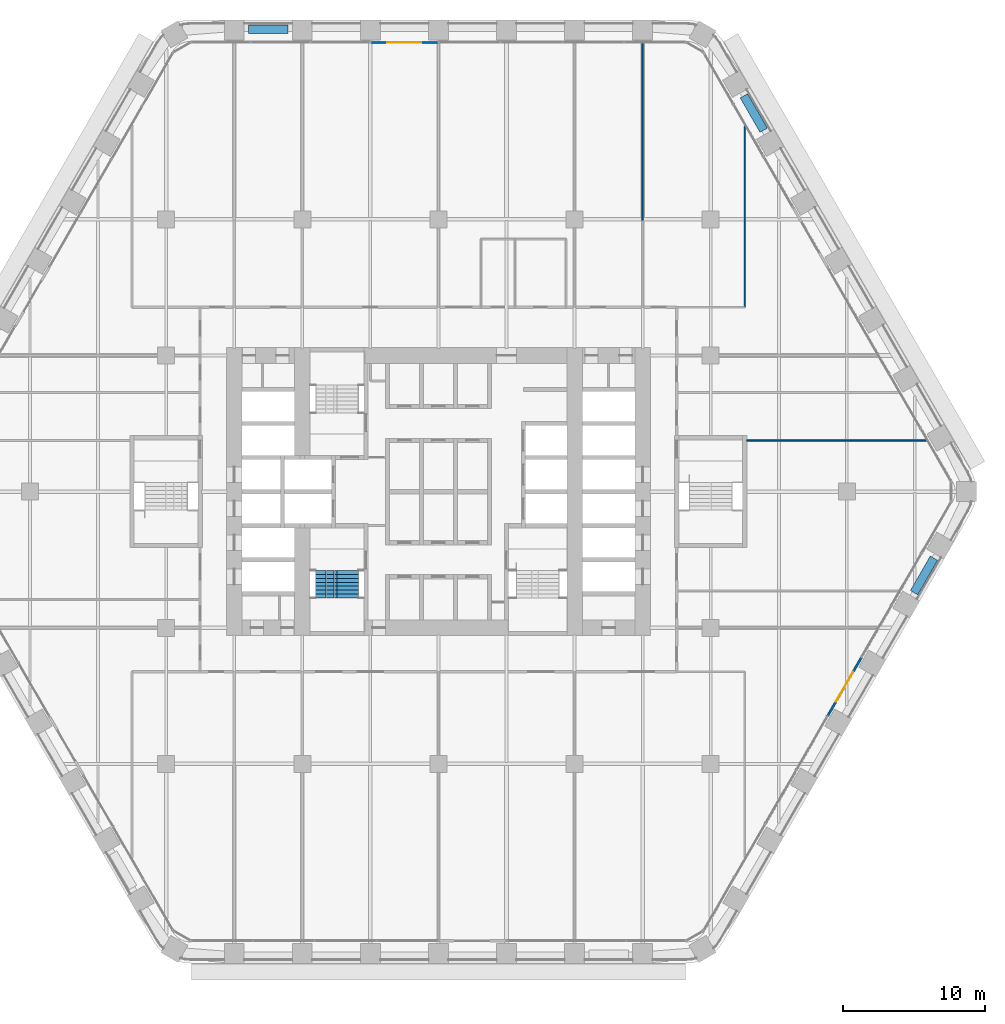
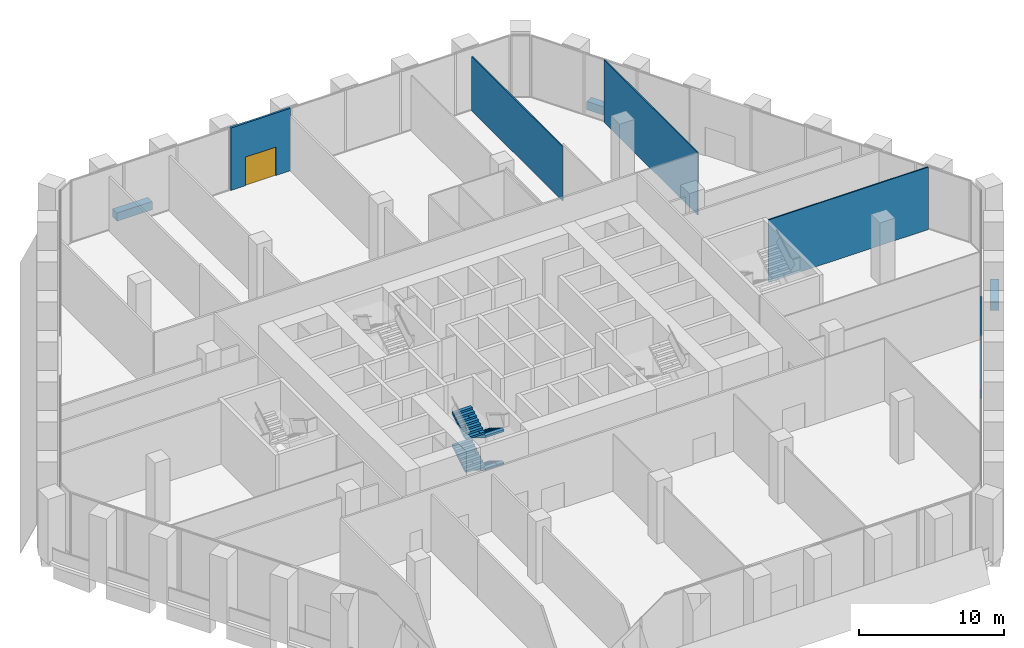
# One storey, part 22 of 27: 8 walls, 4 stair flights, 2 doors, 2 openings, 1 element without a shape of its own.
"""IFC4 building model written with IfcOpenShell, lengths in metres."""

import ifcopenshell
import ifcopenshell.guid

model = None  # the IFC model being written
_history = None  # IfcOwnerHistory: only IFC2X3 demands one
_inside = {}  # id of a spatial element -> (the spatial element, [elements in it])
_under = {}  # id of a project, library or spatial element -> (it, [spatial elements below it])
_declared = {}  # id of a project -> (the project, [libraries it declares])
_typed = {}  # id of a type object -> (the type object, [elements of that type])
_made_of = {}  # id of a material, layer set ... -> (it, [elements and type objects made of it])


def new_model(schema):
    """Start an empty IFC model of exactly this schema.

    Asked for "IFC4X3", IfcOpenShell would pick the latest addendum, in which some entities
    have other attributes; the version numbers below select the first issue.
    IFC2X3 requires an IfcOwnerHistory on every rooted entity: one is made here for all.
    """
    global model, _history
    if schema == "IFC4X3":
        model = ifcopenshell.file(schema_version=(4, 3, 0, 0))
    else:
        model = ifcopenshell.file(schema=schema)
    _inside.clear()
    _under.clear()
    _declared.clear()
    _typed.clear()
    _made_of.clear()
    _history = None
    if model.schema == "IFC2X3":
        org = make("IfcOrganization", Name="unknown")
        user = make(
            "IfcPersonAndOrganization",
            ThePerson=make("IfcPerson", FamilyName="unknown"),
            TheOrganization=org,
        )
        app = make(
            "IfcApplication",
            ApplicationDeveloper=org,
            Version="unknown",
            ApplicationFullName="unknown",
            ApplicationIdentifier="unknown",
        )
        _history = make(
            "IfcOwnerHistory",
            OwningUser=user,
            OwningApplication=app,
            ChangeAction="ADDED",
            CreationDate=0,
        )
    return model


def make(cls, **values):
    """One entity of the class cls with the attributes given. An attribute that is None is left unset."""
    return model.create_entity(
        cls, **{name: value for name, value in values.items() if value is not None}
    )


def rooted(cls, **values):
    """An entity with a GlobalId (a new one), such as an element, a storey or a relation."""
    return make(cls, GlobalId=ifcopenshell.guid.new(), OwnerHistory=_history, **values)


def si_unit(unit_type, name, prefix=None):
    """IfcSIUnit, for example si_unit("LENGTHUNIT", "METRE", prefix="MILLI")."""
    return make("IfcSIUnit", UnitType=unit_type, Prefix=prefix, Name=name)


def assignment(units):
    """IfcUnitAssignment: the units of a project."""
    return None if units is None else make("IfcUnitAssignment", Units=units)


def point(xyz):
    """IfcCartesianPoint."""
    return None if xyz is None else make("IfcCartesianPoint", Coordinates=xyz)


def direction(xyz):
    """IfcDirection."""
    return None if xyz is None else make("IfcDirection", DirectionRatios=xyz)


def frame(location, z_axis=None, x_axis=None):
    """IfcAxis2Placement3D, a coordinate frame: its origin and axes. An axis left out is left unset."""
    return make(
        "IfcAxis2Placement3D",
        Location=point(location),
        Axis=direction(z_axis),
        RefDirection=direction(x_axis),
    )


def frame_2d(location, x_axis=None):
    """IfcAxis2Placement2D, a coordinate frame in the plane: its origin and x axis."""
    return make(
        "IfcAxis2Placement2D", Location=point(location), RefDirection=direction(x_axis)
    )


def origin():
    """The frame at (0, 0, 0) with its axes left unset."""
    return frame((0.0, 0.0, 0.0))


def place(relative_to, where):
    """IfcLocalPlacement: puts the frame where relative to a parent placement (None: the world)."""
    return make(
        "IfcLocalPlacement", PlacementRelTo=relative_to, RelativePlacement=where
    )


def context(
    kind, dimensions, precision=None, world=None, true_north=None, identifier=None
):
    """IfcGeometricRepresentationContext, for example the 3D "Model" context."""
    return make(
        "IfcGeometricRepresentationContext",
        ContextIdentifier=identifier,
        ContextType=kind,
        CoordinateSpaceDimension=dimensions,
        Precision=precision,
        WorldCoordinateSystem=world,
        TrueNorth=true_north,
    )


def subcontext(parent, identifier, kind, view, scale=None):
    """IfcGeometricRepresentationSubContext, for example "Body" below "Model"."""
    return make(
        "IfcGeometricRepresentationSubContext",
        ContextIdentifier=identifier,
        ContextType=kind,
        ParentContext=parent,
        TargetScale=scale,
        TargetView=view,
    )


def project(units=None, contexts=None):
    """IfcProject with its units and contexts."""
    return rooted(
        "IfcProject",
        Name="project",
        RepresentationContexts=contexts,
        UnitsInContext=assignment(units),
    )


def spatial(cls, under=None, at=None, **own):
    """A site, building, storey or space (cls), placed at a placement, below another one or the project."""
    s = rooted(cls, ObjectPlacement=at, **own)
    if under is not None:
        _under.setdefault(under.id(), (under, []))[1].append(s)
    return s


def polyline(points):
    """IfcPolyline through the points."""
    return make("IfcPolyline", Points=[point(p) for p in points])


def profile(cls, at=None, kind="AREA", **sizes):
    """A parametric profile (cls). Its sizes go by their IFC names, for example OverallWidth=200.0."""
    return make(cls, ProfileType=kind, Position=at, **sizes)


def rectangle(**sizes):
    """IfcRectangleProfileDef."""
    return profile("IfcRectangleProfileDef", **sizes)


def outline(outer, holes=None, kind="AREA"):
    """IfcArbitraryClosedProfileDef: a profile drawn as a closed curve; with holes, ...WithVoids."""
    if holes is None:
        return make("IfcArbitraryClosedProfileDef", ProfileType=kind, OuterCurve=outer)
    return make(
        "IfcArbitraryProfileDefWithVoids",
        ProfileType=kind,
        OuterCurve=outer,
        InnerCurves=holes,
    )


def extrude(swept, where, along, depth):
    """IfcExtrudedAreaSolid: the profile swept, set in the frame where, extruded along a direction by depth."""
    return make(
        "IfcExtrudedAreaSolid",
        SweptArea=swept,
        Position=where,
        ExtrudedDirection=direction(along),
        Depth=depth,
    )


def shape(context_of_items, identifier, shape_type, items):
    """IfcShapeRepresentation: the items that make up one representation, for example the "Body"."""
    return make(
        "IfcShapeRepresentation",
        ContextOfItems=context_of_items,
        RepresentationIdentifier=identifier,
        RepresentationType=shape_type,
        Items=items,
    )


def material(Name=None, Category=None):
    """IfcMaterial."""
    return make("IfcMaterial", Name=Name, Category=Category)


def layer(
    of_material, thickness, ventilated=None, Name=None, Category=None, Priority=None
):
    """IfcMaterialLayer: one layer of a wall or slab, of a material (None: an air gap)."""
    return make(
        "IfcMaterialLayer",
        Material=of_material,
        LayerThickness=thickness,
        IsVentilated=ventilated,
        Name=Name,
        Category=Category,
        Priority=Priority,
    )


def layer_set(layers, Name=None):
    """IfcMaterialLayerSet."""
    return make("IfcMaterialLayerSet", MaterialLayers=layers, LayerSetName=Name)


def made_of(thing, what):
    """Note that an element or type object is made of a material, layer set ...; save() writes the relation."""
    if what is not None:
        _made_of.setdefault(what.id(), (what, []))[1].append(thing)
    return thing


def type_object(cls, material=None, **own):
    """A type object (cls), such as IfcWallType, which elements share."""
    return made_of(rooted(cls, **own), material)


def element(
    cls,
    number,
    at=None,
    inside=None,
    cuts=None,
    type_object=None,
    material=None,
    context=None,
    identifier="Body",
    shape_type=None,
    held_by="IfcProductDefinitionShape",
    body=None,
    shapes=None,
    **own,
):
    """One element of the class cls, such as IfcWall. Its Tag is "e" and its number.

    at: its placement. inside: the storey or other place that contains it. cuts: it is an
    opening in that element (IfcRelVoidsElement). A single representation is given by context,
    identifier, shape_type and body (its items); several are given by shapes. held_by: the class
    of the entity that holds the representations. save() writes the other relations.
    """
    e = rooted(cls, Tag="e%d" % number, ObjectPlacement=at, **own)
    if body is not None:
        shapes = [shape(context, identifier, shape_type, body)]
    if shapes is not None:
        e.Representation = make(held_by, Representations=shapes)
    if inside is not None:
        _inside.setdefault(inside.id(), (inside, []))[1].append(e)
    if cuts is not None:
        rooted(
            "IfcRelVoidsElement", RelatingBuildingElement=cuts, RelatedOpeningElement=e
        )
    if type_object is not None:
        _typed.setdefault(type_object.id(), (type_object, []))[1].append(e)
    return made_of(e, material)


def fill(opening, filler):
    """IfcRelFillsElement: the door or window that sits in an opening."""
    return rooted(
        "IfcRelFillsElement",
        RelatingOpeningElement=opening,
        RelatedBuildingElement=filler,
    )


def aggregate(whole, parts):
    """IfcRelAggregates: a whole, such as a stair, and the parts it consists of."""
    return rooted("IfcRelAggregates", RelatingObject=whole, RelatedObjects=parts)


def save(model, path):
    """Write the relations noted so far, then the file.

    IfcRelAggregates (storeys below a building ...), IfcRelContainedInSpatialStructure (elements
    in a storey), IfcRelDefinesByType, IfcRelAssociatesMaterial and IfcRelDeclares: one each for
    every whole, place, type object, material and project.
    """
    for whole, parts in _under.values():
        aggregate(whole, parts)
    for where, things in _inside.values():
        rooted(
            "IfcRelContainedInSpatialStructure",
            RelatedElements=things,
            RelatingStructure=where,
        )
    for kind, things in _typed.values():
        rooted("IfcRelDefinesByType", RelatedObjects=things, RelatingType=kind)
    for what, things in _made_of.values():
        rooted("IfcRelAssociatesMaterial", RelatedObjects=things, RelatingMaterial=what)
    for by, libraries in _declared.values():
        rooted("IfcRelDeclares", RelatingContext=by, RelatedDefinitions=libraries)
    model.write(path)


model = new_model("IFC4")

# Units and contexts
model_context = context("Model", 3, precision=1e-05, world=origin(), true_north=direction((0.0, 1.0)))
body_context = subcontext(model_context, "Body", "Model", "MODEL_VIEW")
ifc_project = project(units=[si_unit("LENGTHUNIT", "METRE"), si_unit("AREAUNIT", "SQUARE_METRE"), si_unit("VOLUMEUNIT", "CUBIC_METRE"), si_unit("PLANEANGLEUNIT", "RADIAN"), si_unit("MASSUNIT", "GRAM", prefix="KILO")], contexts=[model_context])

# Site, building, storey
site_placement = place(None, origin())
site = spatial("IfcSite", under=ifc_project, at=site_placement, CompositionType="ELEMENT")
building_placement = place(site_placement, origin())
building = spatial("IfcBuilding", under=site, at=building_placement, Name="Kolab Exchange Tower", CompositionType="ELEMENT")
storey_placement = place(building_placement, frame((0.0, 0.0, 22.39990234375)))
storey = spatial("IfcBuildingStorey", under=building, at=storey_placement, Name="L04", CompositionType="ELEMENT", Elevation=22.39990234375)

# Wall, opening, door
ifc_material_1 = material(Name="Aluminium EN AW-6063 T6", Category="aluminium")
ifc_layer_1 = layer(ifc_material_1, 0.159912109375)
ifc_layer_set_1 = layer_set([ifc_layer_1], Name="Aluminium EN AW-6063 T6")
wall_type_1 = type_object("IfcWallType", Name="DOOR SURROUND WALL 160 ALUMINIUM FRAMED", PredefinedType="PARTITIONING", material=ifc_layer_set_1)
wall_1_placement = place(storey_placement, frame((-4.77001953125, 31.67529296875, 0.0), z_axis=(0.0, 0.0, 1.0), x_axis=(1.0, 0.0, 0.0)))
wall_1 = element("IfcWall", 1, at=wall_1_placement, inside=storey, type_object=wall_type_1, Name="Door surround wall", PredefinedType="PARTITIONING", context=body_context, shape_type="SweptSolid", body=[
    extrude(rectangle(XDim=4.739990234375, YDim=0.159912109375, at=frame_2d((2.3701171875, 0.0))), origin(), (0.0, 0.0, 1.0), 5.25),
])
opening_1_placement = place(wall_1_placement, frame((1.169921875, 0.0, 0.0)))
opening_1 = element("IfcOpeningElement", 2, at=opening_1_placement, cuts=wall_1, Name="Opening GD1-017", PredefinedType="OPENING", context=body_context, shape_type="SweptSolid", body=[
    extrude(rectangle(XDim=2.39990234375, YDim=2.39990234375, at=frame_2d((1.199951171875, 1.199951171875))), frame((0.0, 0.08984375, 0.0), z_axis=(0.0, -1.0, 0.0), x_axis=(1.0, 0.0, 0.0)), (0.0, 0.0, 1.0), 0.179931640625),
])
door_type = type_object("IfcDoorType", Name="LOGGIA SLIDING GLASS DOOR 2400 X 2400", OperationType="DOUBLE_DOOR_SINGLE_SWING", PredefinedType="DOOR", material=ifc_material_1)
door_1_placement = place(opening_1_placement, origin())
door_1 = element("IfcDoor", 3, at=door_1_placement, inside=storey, type_object=door_type, Name="Loggia door", OperationType="DOUBLE_DOOR_SLIDING", OverallHeight=2.39990234375, OverallWidth=2.39990234375, PredefinedType="DOOR", context=body_context, shape_type="SweptSolid", body=[
    extrude(rectangle(XDim=2.39990234375, YDim=2.39990234375, at=frame_2d((1.199951171875, 1.199951171875))), frame((0.0, 0.02490234375, 0.0), z_axis=(0.0, -1.0, 0.0), x_axis=(1.0, 0.0, 0.0)), (0.0, 0.0, 1.0), 0.050048828125),
])
fill(opening_1, door_1)

wall_2_placement = place(storey_placement, frame((29.816650390625, -11.706787109375, 0.0), z_axis=(0.0, 0.0, 1.0), x_axis=(-0.499978080042, -0.866038058908, 0.0)))
wall_2 = element("IfcWall", 4, at=wall_2_placement, inside=storey, type_object=wall_type_1, Name="Door surround wall", PredefinedType="PARTITIONING", context=body_context, shape_type="SweptSolid", body=[
    extrude(rectangle(XDim=4.739990234375, YDim=0.159912109375, at=frame_2d((2.3701171875, 0.0))), origin(), (0.0, 0.0, 1.0), 5.25),
])
opening_2_placement = place(wall_2_placement, frame((1.169921875, 0.0, 0.0)))
opening_2 = element("IfcOpeningElement", 5, at=opening_2_placement, cuts=wall_2, Name="Opening GD1-019", PredefinedType="OPENING", context=body_context, shape_type="SweptSolid", body=[
    extrude(rectangle(XDim=2.39990234375, YDim=2.39990234375, at=frame_2d((1.199951171875, 1.199951171875))), frame((0.0, 0.08984375, 0.0), z_axis=(0.0, -1.0, 0.0), x_axis=(1.0, 0.0, 0.0)), (0.0, 0.0, 1.0), 0.179931640625),
])
door_2_placement = place(opening_2_placement, origin())
door_2 = element("IfcDoor", 6, at=door_2_placement, inside=storey, type_object=door_type, Name="Loggia door", OperationType="DOUBLE_DOOR_SLIDING", OverallHeight=2.39990234375, OverallWidth=2.39990234375, PredefinedType="DOOR", context=body_context, shape_type="SweptSolid", body=[
    extrude(rectangle(XDim=2.39990234375, YDim=2.39990234375, at=frame_2d((1.199951171875, 1.199951171875))), frame((0.0, 0.02490234375, 0.0), z_axis=(0.0, -1.0, 0.0), x_axis=(1.0, 0.0, 0.0)), (0.0, 0.0, 1.0), 0.050048828125),
])
fill(opening_2, door_2)

# Walls
ifc_material_2 = material(Name="Gypsum board", Category="gypsum")
ifc_layer_2 = layer(ifc_material_2, 0.10009765625)
ifc_layer_set_2 = layer_set([ifc_layer_2], Name="Gypsum board")
wall_type_2 = type_object("IfcWallType", Name="PARTITION 100", PredefinedType="PARTITIONING", material=ifc_layer_set_2)
wall_3_placement = place(storey_placement, frame((21.60009765625, 13.0, 0.0), z_axis=(0.0, 0.0, 1.0), x_axis=(0.0, 1.0, 0.0)))
element("IfcWall", 7, at=wall_3_placement, inside=storey, type_object=wall_type_2, Name="Partition 001", PredefinedType="PARTITIONING", context=body_context, shape_type="SweptSolid", body=[
    extrude(rectangle(XDim=12.8583984375, YDim=0.10009765625, at=frame_2d((6.42919921875, 0.0))), origin(), (0.0, 0.0, 1.0), 5.25),
])
wall_4_placement = place(storey_placement, frame((14.39990234375, 19.113037109375, 0.0), z_axis=(0.0, 0.0, 1.0), x_axis=(0.0, 1.0, 0.0)))
element("IfcWall", 8, at=wall_4_placement, inside=storey, type_object=wall_type_2, Name="Partition 004", PredefinedType="PARTITIONING", context=body_context, shape_type="SweptSolid", body=[
    extrude(rectangle(XDim=12.472412109375, YDim=0.10009765625, at=frame_2d((6.236328125, 0.0))), origin(), (0.0, 0.0, 1.0), 4.566162109375),
])
wall_5_placement = place(storey_placement, frame((21.75, 3.60009765625, 0.0), z_axis=(0.0, 0.0, 1.0), x_axis=(1.0, 0.0, 0.0)))
element("IfcWall", 9, at=wall_5_placement, inside=storey, type_object=wall_type_2, Name="Partition 039", PredefinedType="PARTITIONING", context=body_context, shape_type="SweptSolid", body=[
    extrude(rectangle(XDim=12.700927734375, YDim=0.10009765625, at=frame_2d((6.3505859375, 0.0))), origin(), (0.0, 0.0, 1.0), 5.25),
])
ifc_material_3 = material(Name="Granite facing", Category="masonry")
ifc_layer_3 = layer(ifc_material_3, 0.0400390625)
ifc_material_4 = material(Name="Concrete C40/50 precast", Category="concrete")
ifc_layer_4 = layer(ifc_material_4, 0.56005859375)
ifc_layer_set_3 = layer_set([ifc_layer_3, ifc_layer_4], Name="Concrete C40/50 precast")
wall_type_3 = type_object("IfcWallType", Name="PLANTER BOX 600 X 700 SOIL DEPTH 550", PredefinedType="USERDEFINED", material=ifc_layer_set_3)
for number, where, z_axis, x_axis, name in (
    (10, (-13.39990234375, 32.60546875, 0.0), (0.0, 0.0, 1.0), (1.0, 0.0, 0.0), "Planter"),
    (11, (21.537109375, 27.907470703125, 0.0), (0.0, 0.0, 1.0), (0.49998411664, -0.866034573852, 0.0), "Planter"),
    (12, (34.93701171875, -4.697998046875, 0.0), (0.0, 0.0, 1.0), (-0.49998411664, -0.866034573852, 0.0), "Planter"),
):
    element("IfcWall", number, at=place(storey_placement, frame(where, z_axis=z_axis, x_axis=x_axis)), inside=storey, type_object=wall_type_3, Name=name, ObjectType="PLANTER", PredefinedType="USERDEFINED", context=body_context, shape_type="SweptSolid", body=[
        extrude(rectangle(XDim=2.7998046875, YDim=0.60009765625, at=frame_2d((1.39990234375, 0.0))), origin(), (0.0, 0.0, 1.0), 0.7001953125),
    ])

# Stair, stair flights
ifc_material_5 = material(Name="Concrete C50/60", Category="concrete")
stair_type = type_object("IfcStairType", Name="STAIR ST3 RISER 171.9", PredefinedType="DOUBLE_RETURN_STAIR", material=ifc_material_5)
stair_placement = place(storey_placement, origin())
stair = element("IfcStair", 13, at=stair_placement, inside=storey, type_object=stair_type, Name="Stair 3", PredefinedType="DOUBLE_RETURN_STAIR")
stair_flight_type = type_object("IfcStairFlightType", Name="STAIR FLIGHT 1500 RISER 171.9", PredefinedType="STRAIGHT", material=ifc_material_5)
stair_flight_1_placement = place(storey_placement, frame((-6.389892578125, -5.550048828125, 0.0), z_axis=(0.0, 0.0, 1.0), x_axis=(0.0, -1.0, 0.0)))
stair_flight_1 = element("IfcStairFlight", 14, at=stair_flight_1_placement, type_object=stair_flight_type, Name="ST3 flight 1", NumberOfRisers=8, NumberOfTreads=7, PredefinedType="STRAIGHT", RiserHeight=0.171875, TreadLength=0.28, context=body_context, shape_type="SweptSolid", body=[
    extrude(outline(polyline([(0.0, 0.0), (0.0, 0.171875), (0.280029296875, 0.171875), (0.280029296875, 0.34375), (0.56005859375, 0.34375), (0.56005859375, 0.515625), (0.840087890625, 0.515625), (0.840087890625, 0.6875), (1.1201171875, 0.6875), (1.1201171875, 0.859375), (1.39990234375, 0.859375), (1.39990234375, 1.03125), (1.679931640625, 1.03125), (1.679931640625, 1.203125), (1.9599609375, 1.203125), (1.9599609375, 1.375), (1.9599609375, 1.02734375), (0.28662109375, 0.0), (0.0, 0.0)])), frame((0.0, 0.75, 0.0), z_axis=(0.0, -1.0, 0.0), x_axis=(1.0, 0.0, 0.0)), (0.0, 0.0, 1.0), 0.185791015625),
    extrude(outline(polyline([(0.0, 0.0), (0.0, 0.171875), (0.280029296875, 0.171875), (0.280029296875, 0.34375), (0.56005859375, 0.34375), (0.56005859375, 0.515625), (0.840087890625, 0.515625), (0.840087890625, 0.6875), (1.1201171875, 0.6875), (1.1201171875, 0.859375), (1.39990234375, 0.859375), (1.39990234375, 1.03125), (1.679931640625, 1.03125), (1.679931640625, 1.203125), (1.9599609375, 1.203125), (1.9599609375, 1.375), (1.9599609375, 1.02734375), (0.28662109375, 0.0), (0.0, 0.0)])), frame((0.0, 0.562255859375, 0.0), z_axis=(0.0, -1.0, 0.0), x_axis=(1.0, 0.0, 0.0)), (0.0, 0.0, 1.0), 0.185791015625),
    extrude(outline(polyline([(0.0, 0.0), (0.0, 0.171875), (0.280029296875, 0.171875), (0.280029296875, 0.34375), (0.56005859375, 0.34375), (0.56005859375, 0.515625), (0.840087890625, 0.515625), (0.840087890625, 0.6875), (1.1201171875, 0.6875), (1.1201171875, 0.859375), (1.39990234375, 0.859375), (1.39990234375, 1.03125), (1.679931640625, 1.03125), (1.679931640625, 1.203125), (1.9599609375, 1.203125), (1.9599609375, 1.375), (1.9599609375, 1.02734375), (0.28662109375, 0.0), (0.0, 0.0)])), frame((0.0, 0.37451171875, 0.0), z_axis=(0.0, -1.0, 0.0), x_axis=(1.0, 0.0, 0.0)), (0.0, 0.0, 1.0), 0.185791015625),
    extrude(outline(polyline([(0.0, 0.0), (0.0, 0.171875), (0.280029296875, 0.171875), (0.280029296875, 0.34375), (0.56005859375, 0.34375), (0.56005859375, 0.515625), (0.840087890625, 0.515625), (0.840087890625, 0.6875), (1.1201171875, 0.6875), (1.1201171875, 0.859375), (1.39990234375, 0.859375), (1.39990234375, 1.03125), (1.679931640625, 1.03125), (1.679931640625, 1.203125), (1.9599609375, 1.203125), (1.9599609375, 1.375), (1.9599609375, 1.02734375), (0.28662109375, 0.0), (0.0, 0.0)])), frame((0.0, 0.186767578125, 0.0), z_axis=(0.0, -1.0, 0.0), x_axis=(1.0, 0.0, 0.0)), (0.0, 0.0, 1.0), 0.185791015625),
    extrude(outline(polyline([(0.0, 0.0), (0.0, 0.171875), (0.280029296875, 0.171875), (0.280029296875, 0.34375), (0.56005859375, 0.34375), (0.56005859375, 0.515625), (0.840087890625, 0.515625), (0.840087890625, 0.6875), (1.1201171875, 0.6875), (1.1201171875, 0.859375), (1.39990234375, 0.859375), (1.39990234375, 1.03125), (1.679931640625, 1.03125), (1.679931640625, 1.203125), (1.9599609375, 1.203125), (1.9599609375, 1.375), (1.9599609375, 1.02734375), (0.28662109375, 0.0), (0.0, 0.0)])), frame((0.0, -0.0009765625, 0.0), z_axis=(0.0, -1.0, 0.0), x_axis=(1.0, 0.0, 0.0)), (0.0, 0.0, 1.0), 0.185791015625),
    extrude(outline(polyline([(0.0, 0.0), (0.0, 0.171875), (0.280029296875, 0.171875), (0.280029296875, 0.34375), (0.56005859375, 0.34375), (0.56005859375, 0.515625), (0.840087890625, 0.515625), (0.840087890625, 0.6875), (1.1201171875, 0.6875), (1.1201171875, 0.859375), (1.39990234375, 0.859375), (1.39990234375, 1.03125), (1.679931640625, 1.03125), (1.679931640625, 1.203125), (1.9599609375, 1.203125), (1.9599609375, 1.375), (1.9599609375, 1.02734375), (0.28662109375, 0.0), (0.0, 0.0)])), frame((0.0, -0.188720703125, 0.0), z_axis=(0.0, -1.0, 0.0), x_axis=(1.0, 0.0, 0.0)), (0.0, 0.0, 1.0), 0.185791015625),
    extrude(outline(polyline([(0.0, 0.0), (0.0, 0.171875), (0.280029296875, 0.171875), (0.280029296875, 0.34375), (0.56005859375, 0.34375), (0.56005859375, 0.515625), (0.840087890625, 0.515625), (0.840087890625, 0.6875), (1.1201171875, 0.6875), (1.1201171875, 0.859375), (1.39990234375, 0.859375), (1.39990234375, 1.03125), (1.679931640625, 1.03125), (1.679931640625, 1.203125), (1.9599609375, 1.203125), (1.9599609375, 1.375), (1.9599609375, 1.02734375), (0.28662109375, 0.0), (0.0, 0.0)])), frame((0.0, -0.37646484375, 0.0), z_axis=(0.0, -1.0, 0.0), x_axis=(1.0, 0.0, 0.0)), (0.0, 0.0, 1.0), 0.185791015625),
    extrude(outline(polyline([(0.0, 0.0), (0.0, 0.171875), (0.280029296875, 0.171875), (0.280029296875, 0.34375), (0.56005859375, 0.34375), (0.56005859375, 0.515625), (0.840087890625, 0.515625), (0.840087890625, 0.6875), (1.1201171875, 0.6875), (1.1201171875, 0.859375), (1.39990234375, 0.859375), (1.39990234375, 1.03125), (1.679931640625, 1.03125), (1.679931640625, 1.203125), (1.9599609375, 1.203125), (1.9599609375, 1.375), (1.9599609375, 1.02734375), (0.28662109375, 0.0), (0.0, 0.0)])), frame((0.0, -0.564208984375, 0.0), z_axis=(0.0, -1.0, 0.0), x_axis=(1.0, 0.0, 0.0)), (0.0, 0.0, 1.0), 0.185791015625),
])
stair_flight_2_placement = place(storey_placement, frame((-7.909912109375, -7.510009765625, 1.375), z_axis=(0.0, 0.0, 1.0), x_axis=(0.0, 1.0, 0.0)))
stair_flight_2 = element("IfcStairFlight", 15, at=stair_flight_2_placement, type_object=stair_flight_type, Name="ST3 flight 2", NumberOfRisers=8, NumberOfTreads=7, PredefinedType="STRAIGHT", RiserHeight=0.171875, TreadLength=0.28, context=body_context, shape_type="SweptSolid", body=[
    extrude(outline(polyline([(0.0, 0.0), (0.0, 0.171875), (0.280029296875, 0.171875), (0.280029296875, 0.34375), (0.56005859375, 0.34375), (0.56005859375, 0.515625), (0.840087890625, 0.515625), (0.840087890625, 0.6875), (1.1201171875, 0.6875), (1.1201171875, 0.859375), (1.39990234375, 0.859375), (1.39990234375, 1.03125), (1.679931640625, 1.03125), (1.679931640625, 1.203125), (1.9599609375, 1.203125), (1.9599609375, 1.375), (1.9599609375, 1.02734375), (0.28662109375, 0.0), (0.0, 0.0)])), frame((0.0, 0.75, 0.0), z_axis=(0.0, -1.0, 0.0), x_axis=(1.0, 0.0, 0.0)), (0.0, 0.0, 1.0), 0.185791015625),
    extrude(outline(polyline([(0.0, 0.0), (0.0, 0.171875), (0.280029296875, 0.171875), (0.280029296875, 0.34375), (0.56005859375, 0.34375), (0.56005859375, 0.515625), (0.840087890625, 0.515625), (0.840087890625, 0.6875), (1.1201171875, 0.6875), (1.1201171875, 0.859375), (1.39990234375, 0.859375), (1.39990234375, 1.03125), (1.679931640625, 1.03125), (1.679931640625, 1.203125), (1.9599609375, 1.203125), (1.9599609375, 1.375), (1.9599609375, 1.02734375), (0.28662109375, 0.0), (0.0, 0.0)])), frame((0.0, 0.562255859375, 0.0), z_axis=(0.0, -1.0, 0.0), x_axis=(1.0, 0.0, 0.0)), (0.0, 0.0, 1.0), 0.185791015625),
    extrude(outline(polyline([(0.0, 0.0), (0.0, 0.171875), (0.280029296875, 0.171875), (0.280029296875, 0.34375), (0.56005859375, 0.34375), (0.56005859375, 0.515625), (0.840087890625, 0.515625), (0.840087890625, 0.6875), (1.1201171875, 0.6875), (1.1201171875, 0.859375), (1.39990234375, 0.859375), (1.39990234375, 1.03125), (1.679931640625, 1.03125), (1.679931640625, 1.203125), (1.9599609375, 1.203125), (1.9599609375, 1.375), (1.9599609375, 1.02734375), (0.28662109375, 0.0), (0.0, 0.0)])), frame((0.0, 0.37451171875, 0.0), z_axis=(0.0, -1.0, 0.0), x_axis=(1.0, 0.0, 0.0)), (0.0, 0.0, 1.0), 0.185791015625),
    extrude(outline(polyline([(0.0, 0.0), (0.0, 0.171875), (0.280029296875, 0.171875), (0.280029296875, 0.34375), (0.56005859375, 0.34375), (0.56005859375, 0.515625), (0.840087890625, 0.515625), (0.840087890625, 0.6875), (1.1201171875, 0.6875), (1.1201171875, 0.859375), (1.39990234375, 0.859375), (1.39990234375, 1.03125), (1.679931640625, 1.03125), (1.679931640625, 1.203125), (1.9599609375, 1.203125), (1.9599609375, 1.375), (1.9599609375, 1.02734375), (0.28662109375, 0.0), (0.0, 0.0)])), frame((0.0, 0.186767578125, 0.0), z_axis=(0.0, -1.0, 0.0), x_axis=(1.0, 0.0, 0.0)), (0.0, 0.0, 1.0), 0.185791015625),
    extrude(outline(polyline([(0.0, 0.0), (0.0, 0.171875), (0.280029296875, 0.171875), (0.280029296875, 0.34375), (0.56005859375, 0.34375), (0.56005859375, 0.515625), (0.840087890625, 0.515625), (0.840087890625, 0.6875), (1.1201171875, 0.6875), (1.1201171875, 0.859375), (1.39990234375, 0.859375), (1.39990234375, 1.03125), (1.679931640625, 1.03125), (1.679931640625, 1.203125), (1.9599609375, 1.203125), (1.9599609375, 1.375), (1.9599609375, 1.02734375), (0.28662109375, 0.0), (0.0, 0.0)])), frame((0.0, -0.0009765625, 0.0), z_axis=(0.0, -1.0, 0.0), x_axis=(1.0, 0.0, 0.0)), (0.0, 0.0, 1.0), 0.185791015625),
    extrude(outline(polyline([(0.0, 0.0), (0.0, 0.171875), (0.280029296875, 0.171875), (0.280029296875, 0.34375), (0.56005859375, 0.34375), (0.56005859375, 0.515625), (0.840087890625, 0.515625), (0.840087890625, 0.6875), (1.1201171875, 0.6875), (1.1201171875, 0.859375), (1.39990234375, 0.859375), (1.39990234375, 1.03125), (1.679931640625, 1.03125), (1.679931640625, 1.203125), (1.9599609375, 1.203125), (1.9599609375, 1.375), (1.9599609375, 1.02734375), (0.28662109375, 0.0), (0.0, 0.0)])), frame((0.0, -0.188720703125, 0.0), z_axis=(0.0, -1.0, 0.0), x_axis=(1.0, 0.0, 0.0)), (0.0, 0.0, 1.0), 0.185791015625),
    extrude(outline(polyline([(0.0, 0.0), (0.0, 0.171875), (0.280029296875, 0.171875), (0.280029296875, 0.34375), (0.56005859375, 0.34375), (0.56005859375, 0.515625), (0.840087890625, 0.515625), (0.840087890625, 0.6875), (1.1201171875, 0.6875), (1.1201171875, 0.859375), (1.39990234375, 0.859375), (1.39990234375, 1.03125), (1.679931640625, 1.03125), (1.679931640625, 1.203125), (1.9599609375, 1.203125), (1.9599609375, 1.375), (1.9599609375, 1.02734375), (0.28662109375, 0.0), (0.0, 0.0)])), frame((0.0, -0.37646484375, 0.0), z_axis=(0.0, -1.0, 0.0), x_axis=(1.0, 0.0, 0.0)), (0.0, 0.0, 1.0), 0.185791015625),
    extrude(outline(polyline([(0.0, 0.0), (0.0, 0.171875), (0.280029296875, 0.171875), (0.280029296875, 0.34375), (0.56005859375, 0.34375), (0.56005859375, 0.515625), (0.840087890625, 0.515625), (0.840087890625, 0.6875), (1.1201171875, 0.6875), (1.1201171875, 0.859375), (1.39990234375, 0.859375), (1.39990234375, 1.03125), (1.679931640625, 1.03125), (1.679931640625, 1.203125), (1.9599609375, 1.203125), (1.9599609375, 1.375), (1.9599609375, 1.02734375), (0.28662109375, 0.0), (0.0, 0.0)])), frame((0.0, -0.564208984375, 0.0), z_axis=(0.0, -1.0, 0.0), x_axis=(1.0, 0.0, 0.0)), (0.0, 0.0, 1.0), 0.185791015625),
])
stair_flight_3_placement = place(storey_placement, frame((-6.389892578125, -5.550048828125, 2.75), z_axis=(0.0, 0.0, 1.0), x_axis=(0.0, -1.0, 0.0)))
stair_flight_3 = element("IfcStairFlight", 16, at=stair_flight_3_placement, type_object=stair_flight_type, Name="ST3 flight 3", NumberOfRisers=8, NumberOfTreads=7, PredefinedType="STRAIGHT", RiserHeight=0.171875, TreadLength=0.28, context=body_context, shape_type="SweptSolid", body=[
    extrude(outline(polyline([(0.0, 0.0), (0.0, 0.171875), (0.280029296875, 0.171875), (0.280029296875, 0.34375), (0.56005859375, 0.34375), (0.56005859375, 0.515625), (0.840087890625, 0.515625), (0.840087890625, 0.6875), (1.1201171875, 0.6875), (1.1201171875, 0.859375), (1.39990234375, 0.859375), (1.39990234375, 1.03125), (1.679931640625, 1.03125), (1.679931640625, 1.203125), (1.9599609375, 1.203125), (1.9599609375, 1.375), (1.9599609375, 1.02734375), (0.28662109375, 0.0), (0.0, 0.0)])), frame((0.0, 0.75, 0.0), z_axis=(0.0, -1.0, 0.0), x_axis=(1.0, 0.0, 0.0)), (0.0, 0.0, 1.0), 0.185791015625),
    extrude(outline(polyline([(0.0, 0.0), (0.0, 0.171875), (0.280029296875, 0.171875), (0.280029296875, 0.34375), (0.56005859375, 0.34375), (0.56005859375, 0.515625), (0.840087890625, 0.515625), (0.840087890625, 0.6875), (1.1201171875, 0.6875), (1.1201171875, 0.859375), (1.39990234375, 0.859375), (1.39990234375, 1.03125), (1.679931640625, 1.03125), (1.679931640625, 1.203125), (1.9599609375, 1.203125), (1.9599609375, 1.375), (1.9599609375, 1.02734375), (0.28662109375, 0.0), (0.0, 0.0)])), frame((0.0, 0.562255859375, 0.0), z_axis=(0.0, -1.0, 0.0), x_axis=(1.0, 0.0, 0.0)), (0.0, 0.0, 1.0), 0.185791015625),
    extrude(outline(polyline([(0.0, 0.0), (0.0, 0.171875), (0.280029296875, 0.171875), (0.280029296875, 0.34375), (0.56005859375, 0.34375), (0.56005859375, 0.515625), (0.840087890625, 0.515625), (0.840087890625, 0.6875), (1.1201171875, 0.6875), (1.1201171875, 0.859375), (1.39990234375, 0.859375), (1.39990234375, 1.03125), (1.679931640625, 1.03125), (1.679931640625, 1.203125), (1.9599609375, 1.203125), (1.9599609375, 1.375), (1.9599609375, 1.02734375), (0.28662109375, 0.0), (0.0, 0.0)])), frame((0.0, 0.37451171875, 0.0), z_axis=(0.0, -1.0, 0.0), x_axis=(1.0, 0.0, 0.0)), (0.0, 0.0, 1.0), 0.185791015625),
    extrude(outline(polyline([(0.0, 0.0), (0.0, 0.171875), (0.280029296875, 0.171875), (0.280029296875, 0.34375), (0.56005859375, 0.34375), (0.56005859375, 0.515625), (0.840087890625, 0.515625), (0.840087890625, 0.6875), (1.1201171875, 0.6875), (1.1201171875, 0.859375), (1.39990234375, 0.859375), (1.39990234375, 1.03125), (1.679931640625, 1.03125), (1.679931640625, 1.203125), (1.9599609375, 1.203125), (1.9599609375, 1.375), (1.9599609375, 1.02734375), (0.28662109375, 0.0), (0.0, 0.0)])), frame((0.0, 0.186767578125, 0.0), z_axis=(0.0, -1.0, 0.0), x_axis=(1.0, 0.0, 0.0)), (0.0, 0.0, 1.0), 0.185791015625),
    extrude(outline(polyline([(0.0, 0.0), (0.0, 0.171875), (0.280029296875, 0.171875), (0.280029296875, 0.34375), (0.56005859375, 0.34375), (0.56005859375, 0.515625), (0.840087890625, 0.515625), (0.840087890625, 0.6875), (1.1201171875, 0.6875), (1.1201171875, 0.859375), (1.39990234375, 0.859375), (1.39990234375, 1.03125), (1.679931640625, 1.03125), (1.679931640625, 1.203125), (1.9599609375, 1.203125), (1.9599609375, 1.375), (1.9599609375, 1.02734375), (0.28662109375, 0.0), (0.0, 0.0)])), frame((0.0, -0.0009765625, 0.0), z_axis=(0.0, -1.0, 0.0), x_axis=(1.0, 0.0, 0.0)), (0.0, 0.0, 1.0), 0.185791015625),
    extrude(outline(polyline([(0.0, 0.0), (0.0, 0.171875), (0.280029296875, 0.171875), (0.280029296875, 0.34375), (0.56005859375, 0.34375), (0.56005859375, 0.515625), (0.840087890625, 0.515625), (0.840087890625, 0.6875), (1.1201171875, 0.6875), (1.1201171875, 0.859375), (1.39990234375, 0.859375), (1.39990234375, 1.03125), (1.679931640625, 1.03125), (1.679931640625, 1.203125), (1.9599609375, 1.203125), (1.9599609375, 1.375), (1.9599609375, 1.02734375), (0.28662109375, 0.0), (0.0, 0.0)])), frame((0.0, -0.188720703125, 0.0), z_axis=(0.0, -1.0, 0.0), x_axis=(1.0, 0.0, 0.0)), (0.0, 0.0, 1.0), 0.185791015625),
    extrude(outline(polyline([(0.0, 0.0), (0.0, 0.171875), (0.280029296875, 0.171875), (0.280029296875, 0.34375), (0.56005859375, 0.34375), (0.56005859375, 0.515625), (0.840087890625, 0.515625), (0.840087890625, 0.6875), (1.1201171875, 0.6875), (1.1201171875, 0.859375), (1.39990234375, 0.859375), (1.39990234375, 1.03125), (1.679931640625, 1.03125), (1.679931640625, 1.203125), (1.9599609375, 1.203125), (1.9599609375, 1.375), (1.9599609375, 1.02734375), (0.28662109375, 0.0), (0.0, 0.0)])), frame((0.0, -0.37646484375, 0.0), z_axis=(0.0, -1.0, 0.0), x_axis=(1.0, 0.0, 0.0)), (0.0, 0.0, 1.0), 0.185791015625),
    extrude(outline(polyline([(0.0, 0.0), (0.0, 0.171875), (0.280029296875, 0.171875), (0.280029296875, 0.34375), (0.56005859375, 0.34375), (0.56005859375, 0.515625), (0.840087890625, 0.515625), (0.840087890625, 0.6875), (1.1201171875, 0.6875), (1.1201171875, 0.859375), (1.39990234375, 0.859375), (1.39990234375, 1.03125), (1.679931640625, 1.03125), (1.679931640625, 1.203125), (1.9599609375, 1.203125), (1.9599609375, 1.375), (1.9599609375, 1.02734375), (0.28662109375, 0.0), (0.0, 0.0)])), frame((0.0, -0.564208984375, 0.0), z_axis=(0.0, -1.0, 0.0), x_axis=(1.0, 0.0, 0.0)), (0.0, 0.0, 1.0), 0.185791015625),
])
stair_flight_4_placement = place(storey_placement, frame((-7.909912109375, -7.510009765625, 4.125), z_axis=(0.0, 0.0, 1.0), x_axis=(0.0, 1.0, 0.0)))
stair_flight_4 = element("IfcStairFlight", 17, at=stair_flight_4_placement, type_object=stair_flight_type, Name="ST3 flight 4", NumberOfRisers=8, NumberOfTreads=7, PredefinedType="STRAIGHT", RiserHeight=0.171875, TreadLength=0.28, context=body_context, shape_type="SweptSolid", body=[
    extrude(outline(polyline([(0.0, 0.0), (0.0, 0.171875), (0.280029296875, 0.171875), (0.280029296875, 0.34375), (0.56005859375, 0.34375), (0.56005859375, 0.515625), (0.840087890625, 0.515625), (0.840087890625, 0.6875), (1.1201171875, 0.6875), (1.1201171875, 0.859375), (1.39990234375, 0.859375), (1.39990234375, 1.03125), (1.679931640625, 1.03125), (1.679931640625, 1.203125), (1.9599609375, 1.203125), (1.9599609375, 1.375), (1.9599609375, 1.02734375), (0.28662109375, 0.0), (0.0, 0.0)])), frame((0.0, 0.75, 0.0), z_axis=(0.0, -1.0, 0.0), x_axis=(1.0, 0.0, 0.0)), (0.0, 0.0, 1.0), 0.185791015625),
    extrude(outline(polyline([(0.0, 0.0), (0.0, 0.171875), (0.280029296875, 0.171875), (0.280029296875, 0.34375), (0.56005859375, 0.34375), (0.56005859375, 0.515625), (0.840087890625, 0.515625), (0.840087890625, 0.6875), (1.1201171875, 0.6875), (1.1201171875, 0.859375), (1.39990234375, 0.859375), (1.39990234375, 1.03125), (1.679931640625, 1.03125), (1.679931640625, 1.203125), (1.9599609375, 1.203125), (1.9599609375, 1.375), (1.9599609375, 1.02734375), (0.28662109375, 0.0), (0.0, 0.0)])), frame((0.0, 0.562255859375, 0.0), z_axis=(0.0, -1.0, 0.0), x_axis=(1.0, 0.0, 0.0)), (0.0, 0.0, 1.0), 0.185791015625),
    extrude(outline(polyline([(0.0, 0.0), (0.0, 0.171875), (0.280029296875, 0.171875), (0.280029296875, 0.34375), (0.56005859375, 0.34375), (0.56005859375, 0.515625), (0.840087890625, 0.515625), (0.840087890625, 0.6875), (1.1201171875, 0.6875), (1.1201171875, 0.859375), (1.39990234375, 0.859375), (1.39990234375, 1.03125), (1.679931640625, 1.03125), (1.679931640625, 1.203125), (1.9599609375, 1.203125), (1.9599609375, 1.375), (1.9599609375, 1.02734375), (0.28662109375, 0.0), (0.0, 0.0)])), frame((0.0, 0.37451171875, 0.0), z_axis=(0.0, -1.0, 0.0), x_axis=(1.0, 0.0, 0.0)), (0.0, 0.0, 1.0), 0.185791015625),
    extrude(outline(polyline([(0.0, 0.0), (0.0, 0.171875), (0.280029296875, 0.171875), (0.280029296875, 0.34375), (0.56005859375, 0.34375), (0.56005859375, 0.515625), (0.840087890625, 0.515625), (0.840087890625, 0.6875), (1.1201171875, 0.6875), (1.1201171875, 0.859375), (1.39990234375, 0.859375), (1.39990234375, 1.03125), (1.679931640625, 1.03125), (1.679931640625, 1.203125), (1.9599609375, 1.203125), (1.9599609375, 1.375), (1.9599609375, 1.02734375), (0.28662109375, 0.0), (0.0, 0.0)])), frame((0.0, 0.186767578125, 0.0), z_axis=(0.0, -1.0, 0.0), x_axis=(1.0, 0.0, 0.0)), (0.0, 0.0, 1.0), 0.185791015625),
    extrude(outline(polyline([(0.0, 0.0), (0.0, 0.171875), (0.280029296875, 0.171875), (0.280029296875, 0.34375), (0.56005859375, 0.34375), (0.56005859375, 0.515625), (0.840087890625, 0.515625), (0.840087890625, 0.6875), (1.1201171875, 0.6875), (1.1201171875, 0.859375), (1.39990234375, 0.859375), (1.39990234375, 1.03125), (1.679931640625, 1.03125), (1.679931640625, 1.203125), (1.9599609375, 1.203125), (1.9599609375, 1.375), (1.9599609375, 1.02734375), (0.28662109375, 0.0), (0.0, 0.0)])), frame((0.0, -0.0009765625, 0.0), z_axis=(0.0, -1.0, 0.0), x_axis=(1.0, 0.0, 0.0)), (0.0, 0.0, 1.0), 0.185791015625),
    extrude(outline(polyline([(0.0, 0.0), (0.0, 0.171875), (0.280029296875, 0.171875), (0.280029296875, 0.34375), (0.56005859375, 0.34375), (0.56005859375, 0.515625), (0.840087890625, 0.515625), (0.840087890625, 0.6875), (1.1201171875, 0.6875), (1.1201171875, 0.859375), (1.39990234375, 0.859375), (1.39990234375, 1.03125), (1.679931640625, 1.03125), (1.679931640625, 1.203125), (1.9599609375, 1.203125), (1.9599609375, 1.375), (1.9599609375, 1.02734375), (0.28662109375, 0.0), (0.0, 0.0)])), frame((0.0, -0.188720703125, 0.0), z_axis=(0.0, -1.0, 0.0), x_axis=(1.0, 0.0, 0.0)), (0.0, 0.0, 1.0), 0.185791015625),
    extrude(outline(polyline([(0.0, 0.0), (0.0, 0.171875), (0.280029296875, 0.171875), (0.280029296875, 0.34375), (0.56005859375, 0.34375), (0.56005859375, 0.515625), (0.840087890625, 0.515625), (0.840087890625, 0.6875), (1.1201171875, 0.6875), (1.1201171875, 0.859375), (1.39990234375, 0.859375), (1.39990234375, 1.03125), (1.679931640625, 1.03125), (1.679931640625, 1.203125), (1.9599609375, 1.203125), (1.9599609375, 1.375), (1.9599609375, 1.02734375), (0.28662109375, 0.0), (0.0, 0.0)])), frame((0.0, -0.37646484375, 0.0), z_axis=(0.0, -1.0, 0.0), x_axis=(1.0, 0.0, 0.0)), (0.0, 0.0, 1.0), 0.185791015625),
    extrude(outline(polyline([(0.0, 0.0), (0.0, 0.171875), (0.280029296875, 0.171875), (0.280029296875, 0.34375), (0.56005859375, 0.34375), (0.56005859375, 0.515625), (0.840087890625, 0.515625), (0.840087890625, 0.6875), (1.1201171875, 0.6875), (1.1201171875, 0.859375), (1.39990234375, 0.859375), (1.39990234375, 1.03125), (1.679931640625, 1.03125), (1.679931640625, 1.203125), (1.9599609375, 1.203125), (1.9599609375, 1.375), (1.9599609375, 1.02734375), (0.28662109375, 0.0), (0.0, 0.0)])), frame((0.0, -0.564208984375, 0.0), z_axis=(0.0, -1.0, 0.0), x_axis=(1.0, 0.0, 0.0)), (0.0, 0.0, 1.0), 0.185791015625),
])
aggregate(stair, [stair_flight_1, stair_flight_2, stair_flight_3, stair_flight_4])

save(model, "model.ifc")
